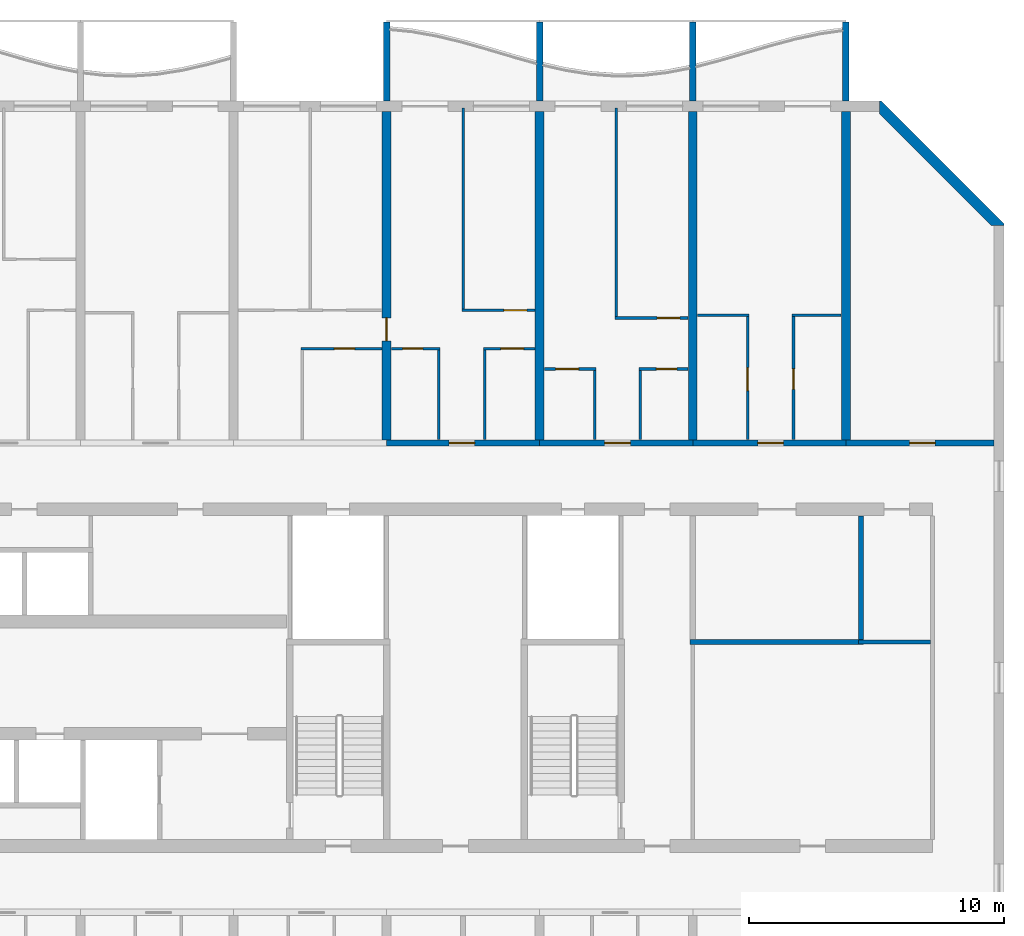
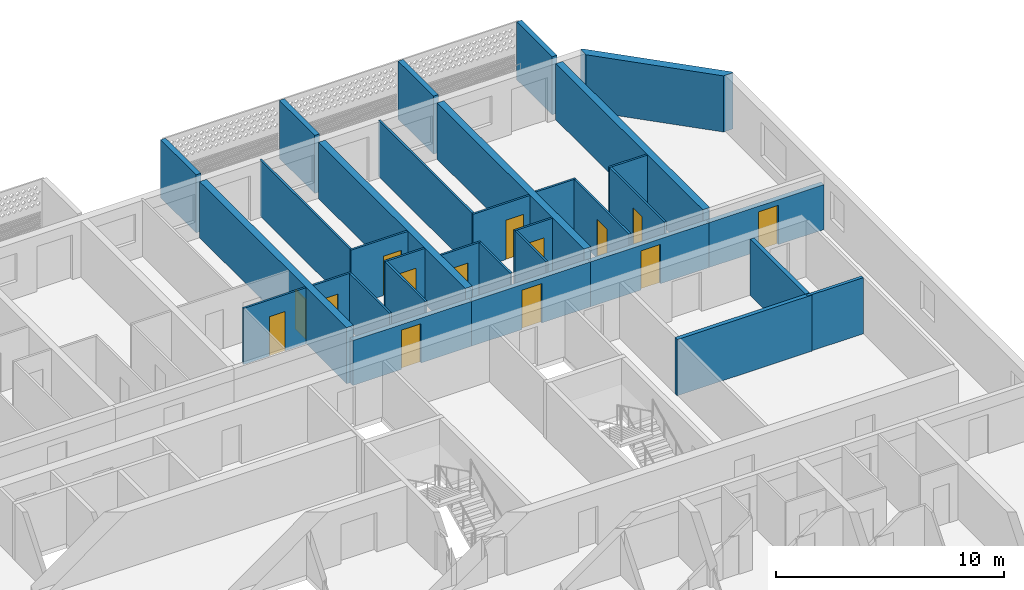
# One storey, part 14 of 24: 33 walls, 14 doors, 14 openings.
"""IFC4 building model written with IfcOpenShell, lengths in metres."""

from ifc_helpers import new_model, si_unit, direction, frame, frame_2d, origin, place, context, subcontext, project, spatial, polyline, rectangle, outline, extrude, source, transform, mapped, material, layer, layer_set, type_object, element, fill, save


model = new_model("IFC4")

# Units and contexts
model_context = context("Model", 3, precision=1e-05, world=origin(), true_north=direction((0.0, 1.0)))
body_context = subcontext(model_context, "Body", "Model", "MODEL_VIEW")
ifc_project = project(units=[si_unit("LENGTHUNIT", "METRE"), si_unit("AREAUNIT", "SQUARE_METRE"), si_unit("VOLUMEUNIT", "CUBIC_METRE"), si_unit("PLANEANGLEUNIT", "RADIAN"), si_unit("MASSUNIT", "GRAM", prefix="KILO")], contexts=[model_context])

# Site, building, storey
site_placement = place(None, origin())
site = spatial("IfcSite", under=ifc_project, at=site_placement, CompositionType="ELEMENT")
building_placement = place(site_placement, origin())
building = spatial("IfcBuilding", under=site, at=building_placement, Name="Poui Terraces", CompositionType="ELEMENT")
storey_placement = place(building_placement, frame((0.0, 0.0, 102.60009765625)))
storey = spatial("IfcBuildingStorey", under=building, at=storey_placement, Name="L28", CompositionType="ELEMENT", Elevation=102.60009765625)

# Wall, opening, door
ifc_material_1 = material(Name="Concrete 65 MPa", Category="concrete")
ifc_layer_1 = layer(ifc_material_1, 0.25)
ifc_layer_set_1 = layer_set([ifc_layer_1], Name="Concrete 65 MPa")
wall_type_1 = type_object("IfcWallType", Name="CORRIDOR WALL 250 65MPa", PredefinedType="SHEAR", material=ifc_layer_set_1)
wall_1_placement = place(storey_placement, frame((72.0, 30.39990234375, 0.0), z_axis=(0.0, 0.0, 1.0), x_axis=(1.0, 0.0, 0.0)))
wall_1 = element("IfcWall", 1, at=wall_1_placement, inside=storey, type_object=wall_type_1, Name="CORRIDOR WALL LINE E BAY 12", PredefinedType="SHEAR", context=body_context, shape_type="SweptSolid", body=[
    extrude(rectangle(XDim=6.0, YDim=0.25, at=frame_2d((3.0, 0.0))), origin(), (0.0, 0.0, 1.0), 2.39990234375),
])
opening_1_placement = place(wall_1_placement, frame((2.449951171875, 0.0, 0.0)))
opening_1 = element("IfcOpeningElement", 2, at=opening_1_placement, cuts=wall_1, Name="Opening FD30S", PredefinedType="OPENING", context=body_context, shape_type="SweptSolid", body=[
    extrude(rectangle(XDim=1.0, YDim=2.10009765625, at=frame_2d((0.5, 1.050048828125))), frame((0.0, 0.135009765625, 0.0), z_axis=(0.0, -1.0, 0.0), x_axis=(1.0, 0.0, 0.0)), (0.0, 0.0, 1.0), 0.27001953125),
])
ifc_material_2 = material(Name="Steel fire door", Category="steel")
door_type_1 = type_object("IfcDoorType", Name="FLAT ENTRANCE DOOR 1000 X 2100", OperationType="NOTDEFINED", PredefinedType="DOOR", material=ifc_material_2)
door_1_placement = place(opening_1_placement, origin())
door_1 = element("IfcDoor", 3, at=door_1_placement, inside=storey, type_object=door_type_1, Name="FLAT ENTRANCE DOOR 069", OperationType="SINGLE_SWING_LEFT", OverallHeight=2.10009765625, OverallWidth=1.0, PredefinedType="DOOR", context=body_context, shape_type="SweptSolid", body=[
    extrude(rectangle(XDim=1.0, YDim=2.10009765625, at=frame_2d((0.5, 1.050048828125))), frame((0.0, 0.02490234375, 0.0), z_axis=(0.0, -1.0, 0.0), x_axis=(1.0, 0.0, 0.0)), (0.0, 0.0, 1.0), 0.050048828125),
])
fill(opening_1, door_1)

wall_2_placement = place(storey_placement, frame((78.0, 30.39990234375, 0.0), z_axis=(0.0, 0.0, 1.0), x_axis=(1.0, 0.0, 0.0)))
wall_2 = element("IfcWall", 4, at=wall_2_placement, inside=storey, type_object=wall_type_1, Name="CORRIDOR WALL LINE E BAY 13", PredefinedType="SHEAR", context=body_context, shape_type="SweptSolid", body=[
    extrude(rectangle(XDim=6.0, YDim=0.25, at=frame_2d((3.0, 0.0))), origin(), (0.0, 0.0, 1.0), 2.39990234375),
])
opening_2_placement = place(wall_2_placement, frame((2.550048828125, 0.0, 0.0)))
opening_2 = element("IfcOpeningElement", 5, at=opening_2_placement, cuts=wall_2, Name="Opening FD30S", PredefinedType="OPENING", context=body_context, shape_type="SweptSolid", body=[
    extrude(rectangle(XDim=1.0, YDim=2.10009765625, at=frame_2d((0.5, 1.050048828125))), frame((0.0, 0.135009765625, 0.0), z_axis=(0.0, -1.0, 0.0), x_axis=(1.0, 0.0, 0.0)), (0.0, 0.0, 1.0), 0.27001953125),
])
door_2_placement = place(opening_2_placement, origin())
door_2 = element("IfcDoor", 6, at=door_2_placement, inside=storey, type_object=door_type_1, Name="FLAT ENTRANCE DOOR 073", OperationType="SINGLE_SWING_RIGHT", OverallHeight=2.10009765625, OverallWidth=1.0, PredefinedType="DOOR", context=body_context, shape_type="SweptSolid", body=[
    extrude(rectangle(XDim=1.0, YDim=2.10009765625, at=frame_2d((0.5, 1.050048828125))), frame((0.0, 0.02490234375, 0.0), z_axis=(0.0, -1.0, 0.0), x_axis=(1.0, 0.0, 0.0)), (0.0, 0.0, 1.0), 0.050048828125),
])
fill(opening_2, door_2)

wall_3_placement = place(storey_placement, frame((84.0, 30.39990234375, 0.0), z_axis=(0.0, 0.0, 1.0), x_axis=(1.0, 0.0, 0.0)))
wall_3 = element("IfcWall", 7, at=wall_3_placement, inside=storey, type_object=wall_type_1, Name="CORRIDOR WALL LINE E BAY 14", PredefinedType="SHEAR", context=body_context, shape_type="SweptSolid", body=[
    extrude(rectangle(XDim=6.0, YDim=0.25, at=frame_2d((3.0, 0.0))), origin(), (0.0, 0.0, 1.0), 2.39990234375),
])
opening_3_placement = place(wall_3_placement, frame((2.550048828125, 0.0, 0.0)))
opening_3 = element("IfcOpeningElement", 8, at=opening_3_placement, cuts=wall_3, Name="Opening FD30S", PredefinedType="OPENING", context=body_context, shape_type="SweptSolid", body=[
    extrude(rectangle(XDim=1.0, YDim=2.10009765625, at=frame_2d((0.5, 1.050048828125))), frame((0.0, 0.135009765625, 0.0), z_axis=(0.0, -1.0, 0.0), x_axis=(1.0, 0.0, 0.0)), (0.0, 0.0, 1.0), 0.27001953125),
])
door_3_placement = place(opening_3_placement, origin())
door_3 = element("IfcDoor", 9, at=door_3_placement, inside=storey, type_object=door_type_1, Name="FLAT ENTRANCE DOOR 077", OperationType="SINGLE_SWING_RIGHT", OverallHeight=2.10009765625, OverallWidth=1.0, PredefinedType="DOOR", context=body_context, shape_type="SweptSolid", body=[
    extrude(rectangle(XDim=1.0, YDim=2.10009765625, at=frame_2d((0.5, 1.050048828125))), frame((0.0, 0.02490234375, 0.0), z_axis=(0.0, -1.0, 0.0), x_axis=(1.0, 0.0, 0.0)), (0.0, 0.0, 1.0), 0.050048828125),
])
fill(opening_3, door_3)

wall_4_placement = place(storey_placement, frame((90.0, 30.39990234375, 0.0), z_axis=(0.0, 0.0, 1.0), x_axis=(1.0, 0.0, 0.0)))
wall_4 = element("IfcWall", 10, at=wall_4_placement, inside=storey, type_object=wall_type_1, Name="CORRIDOR WALL LINE E BAY 15", PredefinedType="SHEAR", context=body_context, shape_type="SweptSolid", body=[
    extrude(rectangle(XDim=5.800048828125, YDim=0.25, at=frame_2d((2.89990234375, 0.0))), origin(), (0.0, 0.0, 1.0), 2.39990234375),
])
opening_4_placement = place(wall_4_placement, frame((2.5, 0.0, 0.0)))
opening_4 = element("IfcOpeningElement", 11, at=opening_4_placement, cuts=wall_4, Name="Opening D100", PredefinedType="OPENING", context=body_context, shape_type="SweptSolid", body=[
    extrude(rectangle(XDim=1.0, YDim=2.10009765625, at=frame_2d((0.5, 1.050048828125))), frame((0.0, 0.135009765625, 0.0), z_axis=(0.0, -1.0, 0.0), x_axis=(1.0, 0.0, 0.0)), (0.0, 0.0, 1.0), 0.27001953125),
])
ifc_material_3 = material(Name="Solid core timber door", Category="wood")
door_type_2 = type_object("IfcDoorType", Name="ACCESSIBLE INTERNAL DOOR 1000 X 2100", OperationType="NOTDEFINED", PredefinedType="DOOR", material=ifc_material_3)
door_4_placement = place(opening_4_placement, origin())
door_4 = element("IfcDoor", 12, at=door_4_placement, inside=storey, type_object=door_type_2, Name="ACCESSIBLE INTERNAL DOOR 079", OperationType="SINGLE_SWING_LEFT", OverallHeight=2.10009765625, OverallWidth=1.0, PredefinedType="DOOR", context=body_context, shape_type="SweptSolid", body=[
    extrude(rectangle(XDim=1.0, YDim=2.10009765625, at=frame_2d((0.5, 1.050048828125))), frame((0.0, 0.02490234375, 0.0), z_axis=(0.0, -1.0, 0.0), x_axis=(1.0, 0.0, 0.0)), (0.0, 0.0, 1.0), 0.050048828125),
])
fill(opening_4, door_4)

ifc_layer_2 = layer(ifc_material_1, 0.35009765625)
ifc_layer_set_2 = layer_set([ifc_layer_2], Name="Concrete 65 MPa")
wall_type_2 = type_object("IfcWallType", Name="CROSS WALL 350 65MPa", PredefinedType="SHEAR", material=ifc_layer_set_2)
wall_5_placement = place(storey_placement, frame((72.0, 30.52490234375, 0.0), z_axis=(0.0, 0.0, 1.0), x_axis=(0.0, 1.0, 0.0)))
wall_5 = element("IfcWall", 13, at=wall_5_placement, inside=storey, type_object=wall_type_2, Name="CROSS WALL LINE 13 NORTH", PredefinedType="SHEAR", context=body_context, shape_type="SweptSolid", body=[
    extrude(rectangle(XDim=12.875, YDim=0.35009765625, at=frame_2d((6.4375, 0.0))), origin(), (0.0, 0.0, 1.0), 3.0),
])
opening_5_placement = place(wall_5_placement, frame((3.875, 0.0, 0.0)))
opening_5 = element("IfcOpeningElement", 14, at=opening_5_placement, cuts=wall_5, Name="Opening D90", PredefinedType="OPENING", context=body_context, shape_type="SweptSolid", body=[
    extrude(rectangle(XDim=0.89990234375, YDim=2.10009765625, at=frame_2d((0.449951171875, 1.050048828125))), frame((0.0, 0.18505859375, 0.0), z_axis=(0.0, -1.0, 0.0), x_axis=(1.0, 0.0, 0.0)), (0.0, 0.0, 1.0), 0.3701171875),
])
door_type_3 = type_object("IfcDoorType", Name="INTERNAL DOOR 900 X 2100", OperationType="NOTDEFINED", PredefinedType="DOOR", material=ifc_material_3)
door_5_placement = place(opening_5_placement, frame((0.89990234375, 0.0, 0.0), z_axis=(0.0, 0.0, 1.0), x_axis=(-1.0, 0.0, 0.0)))
door_5 = element("IfcDoor", 15, at=door_5_placement, inside=storey, type_object=door_type_3, Name="INTERNAL DOOR 067", OperationType="SINGLE_SWING_RIGHT", OverallHeight=2.10009765625, OverallWidth=0.89990234375, PredefinedType="DOOR", context=body_context, shape_type="SweptSolid", body=[
    extrude(rectangle(XDim=0.89990234375, YDim=2.10009765625, at=frame_2d((0.449951171875, 1.050048828125))), frame((0.0, 0.02490234375, 0.0), z_axis=(0.0, -1.0, 0.0), x_axis=(1.0, 0.0, 0.0)), (0.0, 0.0, 1.0), 0.050048828125),
])
fill(opening_5, door_5)

# Walls
for number, where, z_axis, x_axis, name in (
    (16, (78.0, 30.52490234375, 0.0), (0.0, 0.0, 1.0), (0.0, 1.0, 0.0), "CROSS WALL LINE 14 NORTH"),
    (17, (84.0, 30.52490234375, 0.0), (0.0, 0.0, 1.0), (0.0, 1.0, 0.0), "CROSS WALL LINE 15 NORTH"),
    (18, (90.0, 30.52490234375, 0.0), (0.0, 0.0, 1.0), (0.0, 1.0, 0.0), "CROSS WALL LINE 16 NORTH"),
):
    element("IfcWall", number, at=place(storey_placement, frame(where, z_axis=z_axis, x_axis=x_axis)), inside=storey, type_object=wall_type_2, Name=name, PredefinedType="SHEAR", context=body_context, shape_type="SweptSolid", body=[
        extrude(rectangle(XDim=12.875, YDim=0.35009765625, at=frame_2d((6.4375, 0.0))), origin(), (0.0, 0.0, 1.0), 3.0),
    ])

# Wall, opening, door
ifc_material_4 = material(Name="Plasterboard partition")
ifc_layer_3 = layer(ifc_material_4, 0.10009765625)
ifc_layer_set_3 = layer_set([ifc_layer_3], Name="Plasterboard partition")
wall_type_3 = type_object("IfcWallType", Name="FLAT PARTITION 100", PredefinedType="PARTITIONING", material=ifc_layer_set_3)
wall_6_placement = place(storey_placement, frame((78.18505859375, 33.300048828125, 0.0), z_axis=(0.0, 0.0, 1.0), x_axis=(1.0, 0.0, 0.0)))
wall_6 = element("IfcWall", 19, at=wall_6_placement, inside=storey, type_object=wall_type_3, Name="FLAT PARTITION 100", PredefinedType="PARTITIONING", context=body_context, shape_type="SweptSolid", body=[
    extrude(rectangle(XDim=2.014892578125, YDim=0.10009765625, at=frame_2d((1.00732421875, 0.0))), origin(), (0.0, 0.0, 1.0), 3.0),
])
opening_6_placement = place(wall_6_placement, frame((0.43994140625, 0.0, 0.0)))
opening_6 = element("IfcOpeningElement", 20, at=opening_6_placement, cuts=wall_6, Name="Opening D90", PredefinedType="OPENING", context=body_context, shape_type="SweptSolid", body=[
    extrude(rectangle(XDim=0.89990234375, YDim=2.10009765625, at=frame_2d((0.449951171875, 1.050048828125))), frame((0.0, 0.06005859375, 0.0), z_axis=(0.0, -1.0, 0.0), x_axis=(1.0, 0.0, 0.0)), (0.0, 0.0, 1.0), 0.1201171875),
])
door_6_placement = place(opening_6_placement, frame((0.89990234375, 0.0, 0.0), z_axis=(0.0, 0.0, 1.0), x_axis=(-1.0, 0.0, 0.0)))
door_6 = element("IfcDoor", 21, at=door_6_placement, inside=storey, type_object=door_type_3, Name="INTERNAL DOOR 072", OperationType="SINGLE_SWING_RIGHT", OverallHeight=2.10009765625, OverallWidth=0.89990234375, PredefinedType="DOOR", context=body_context, shape_type="SweptSolid", body=[
    extrude(rectangle(XDim=0.89990234375, YDim=2.10009765625, at=frame_2d((0.449951171875, 1.050048828125))), frame((0.0, 0.02490234375, 0.0), z_axis=(0.0, -1.0, 0.0), x_axis=(1.0, 0.0, 0.0)), (0.0, 0.0, 1.0), 0.050048828125),
])
fill(opening_6, door_6)

wall_7_placement = place(storey_placement, frame((81.89990234375, 33.300048828125, 0.0), z_axis=(0.0, 0.0, 1.0), x_axis=(1.0, 0.0, 0.0)))
wall_7 = element("IfcWall", 22, at=wall_7_placement, inside=storey, type_object=wall_type_3, Name="FLAT PARTITION 100", PredefinedType="PARTITIONING", context=body_context, shape_type="SweptSolid", body=[
    extrude(rectangle(XDim=1.9150390625, YDim=0.10009765625, at=frame_2d((0.95751953125, 0.0))), origin(), (0.0, 0.0, 1.0), 3.0),
])
opening_7_placement = place(wall_7_placement, frame((0.675048828125, 0.0, 0.0)))
opening_7 = element("IfcOpeningElement", 23, at=opening_7_placement, cuts=wall_7, Name="Opening D80", PredefinedType="OPENING", context=body_context, shape_type="SweptSolid", body=[
    extrude(rectangle(XDim=0.800048828125, YDim=2.10009765625, at=frame_2d((0.39990234375, 1.050048828125))), frame((0.0, 0.06005859375, 0.0), z_axis=(0.0, -1.0, 0.0), x_axis=(1.0, 0.0, 0.0)), (0.0, 0.0, 1.0), 0.1201171875),
])
door_type_4 = type_object("IfcDoorType", Name="BATHROOM, LAUNDRY AND STORE DOOR 800 X 2100", OperationType="NOTDEFINED", PredefinedType="DOOR", material=ifc_material_3)
door_7_placement = place(opening_7_placement, frame((0.800048828125, 0.0, 0.0), z_axis=(0.0, 0.0, 1.0), x_axis=(-1.0, 0.0, 0.0)))
door_7 = element("IfcDoor", 24, at=door_7_placement, inside=storey, type_object=door_type_4, Name="BATHROOM, LAUNDRY AND STORE DOOR 074", OperationType="SINGLE_SWING_LEFT", OverallHeight=2.10009765625, OverallWidth=0.800048828125, PredefinedType="DOOR", context=body_context, shape_type="SweptSolid", body=[
    extrude(rectangle(XDim=0.800048828125, YDim=2.10009765625, at=frame_2d((0.39990234375, 1.050048828125))), frame((0.0, 0.02490234375, 0.0), z_axis=(0.0, -1.0, 0.0), x_axis=(1.0, 0.0, 0.0)), (0.0, 0.0, 1.0), 0.050048828125),
])
fill(opening_7, door_7)

wall_8_placement = place(storey_placement, frame((68.64990234375, 34.10009765625, 0.0), z_axis=(0.0, 0.0, 1.0), x_axis=(1.0, 0.0, 0.0)))
wall_8 = element("IfcWall", 25, at=wall_8_placement, inside=storey, type_object=wall_type_3, Name="FLAT PARTITION 100", PredefinedType="PARTITIONING", context=body_context, shape_type="SweptSolid", body=[
    extrude(rectangle(XDim=3.1650390625, YDim=0.10009765625, at=frame_2d((1.58251953125, 0.0))), origin(), (0.0, 0.0, 1.0), 3.0),
])
opening_8_placement = place(wall_8_placement, frame((1.300048828125, 0.0, 0.0)))
opening_8 = element("IfcOpeningElement", 26, at=opening_8_placement, cuts=wall_8, Name="Opening D80", PredefinedType="OPENING", context=body_context, shape_type="SweptSolid", body=[
    extrude(rectangle(XDim=0.800048828125, YDim=2.10009765625, at=frame_2d((0.39990234375, 1.050048828125))), frame((0.0, 0.06005859375, 0.0), z_axis=(0.0, -1.0, 0.0), x_axis=(1.0, 0.0, 0.0)), (0.0, 0.0, 1.0), 0.1201171875),
])
door_8_placement = place(opening_8_placement, origin())
door_8 = element("IfcDoor", 27, at=door_8_placement, inside=storey, type_object=door_type_4, Name="BATHROOM, LAUNDRY AND STORE DOOR 066", OperationType="SINGLE_SWING_LEFT", OverallHeight=2.10009765625, OverallWidth=0.800048828125, PredefinedType="DOOR", context=body_context, shape_type="SweptSolid", body=[
    extrude(rectangle(XDim=0.800048828125, YDim=2.10009765625, at=frame_2d((0.39990234375, 1.050048828125))), frame((0.0, 0.02490234375, 0.0), z_axis=(0.0, -1.0, 0.0), x_axis=(1.0, 0.0, 0.0)), (0.0, 0.0, 1.0), 0.050048828125),
])
fill(opening_8, door_8)

wall_9_placement = place(storey_placement, frame((72.18505859375, 34.10009765625, 0.0), z_axis=(0.0, 0.0, 1.0), x_axis=(1.0, 0.0, 0.0)))
wall_9 = element("IfcWall", 28, at=wall_9_placement, inside=storey, type_object=wall_type_3, Name="FLAT PARTITION 100", PredefinedType="PARTITIONING", context=body_context, shape_type="SweptSolid", body=[
    extrude(rectangle(XDim=1.9150390625, YDim=0.10009765625, at=frame_2d((0.95751953125, 0.0))), origin(), (0.0, 0.0, 1.0), 3.0),
])
opening_9_placement = place(wall_9_placement, frame((0.43994140625, 0.0, 0.0)))
opening_9 = element("IfcOpeningElement", 29, at=opening_9_placement, cuts=wall_9, Name="Opening D80", PredefinedType="OPENING", context=body_context, shape_type="SweptSolid", body=[
    extrude(rectangle(XDim=0.800048828125, YDim=2.10009765625, at=frame_2d((0.39990234375, 1.050048828125))), frame((0.0, 0.06005859375, 0.0), z_axis=(0.0, -1.0, 0.0), x_axis=(1.0, 0.0, 0.0)), (0.0, 0.0, 1.0), 0.1201171875),
])
door_9_placement = place(opening_9_placement, frame((0.800048828125, 0.0, 0.0), z_axis=(0.0, 0.0, 1.0), x_axis=(-1.0, 0.0, 0.0)))
door_9 = element("IfcDoor", 30, at=door_9_placement, inside=storey, type_object=door_type_4, Name="BATHROOM, LAUNDRY AND STORE DOOR 068", OperationType="SINGLE_SWING_RIGHT", OverallHeight=2.10009765625, OverallWidth=0.800048828125, PredefinedType="DOOR", context=body_context, shape_type="SweptSolid", body=[
    extrude(rectangle(XDim=0.800048828125, YDim=2.10009765625, at=frame_2d((0.39990234375, 1.050048828125))), frame((0.0, 0.02490234375, 0.0), z_axis=(0.0, -1.0, 0.0), x_axis=(1.0, 0.0, 0.0)), (0.0, 0.0, 1.0), 0.050048828125),
])
fill(opening_9, door_9)

wall_10_placement = place(storey_placement, frame((75.800048828125, 34.10009765625, 0.0), z_axis=(0.0, 0.0, 1.0), x_axis=(1.0, 0.0, 0.0)))
wall_10 = element("IfcWall", 31, at=wall_10_placement, inside=storey, type_object=wall_type_3, Name="FLAT PARTITION 100", PredefinedType="PARTITIONING", context=body_context, shape_type="SweptSolid", body=[
    extrude(rectangle(XDim=2.014892578125, YDim=0.10009765625, at=frame_2d((1.00732421875, 0.0))), origin(), (0.0, 0.0, 1.0), 3.0),
])
opening_10_placement = place(wall_10_placement, frame((0.675048828125, 0.0, 0.0)))
opening_10 = element("IfcOpeningElement", 32, at=opening_10_placement, cuts=wall_10, Name="Opening D90", PredefinedType="OPENING", context=body_context, shape_type="SweptSolid", body=[
    extrude(rectangle(XDim=0.89990234375, YDim=2.10009765625, at=frame_2d((0.449951171875, 1.050048828125))), frame((0.0, 0.06005859375, 0.0), z_axis=(0.0, -1.0, 0.0), x_axis=(1.0, 0.0, 0.0)), (0.0, 0.0, 1.0), 0.1201171875),
])
door_10_placement = place(opening_10_placement, frame((0.89990234375, 0.0, 0.0), z_axis=(0.0, 0.0, 1.0), x_axis=(-1.0, 0.0, 0.0)))
door_10 = element("IfcDoor", 33, at=door_10_placement, inside=storey, type_object=door_type_3, Name="INTERNAL DOOR 070", OperationType="SINGLE_SWING_LEFT", OverallHeight=2.10009765625, OverallWidth=0.89990234375, PredefinedType="DOOR", context=body_context, shape_type="SweptSolid", body=[
    extrude(rectangle(XDim=0.89990234375, YDim=2.10009765625, at=frame_2d((0.449951171875, 1.050048828125))), frame((0.0, 0.02490234375, 0.0), z_axis=(0.0, -1.0, 0.0), x_axis=(1.0, 0.0, 0.0)), (0.0, 0.0, 1.0), 0.050048828125),
])
fill(opening_10, door_10)

wall_11_placement = place(storey_placement, frame((80.949951171875, 35.300048828125, 0.0), z_axis=(0.0, 0.0, 1.0), x_axis=(1.0, 0.0, 0.0)))
wall_11 = element("IfcWall", 34, at=wall_11_placement, inside=storey, type_object=wall_type_3, Name="FLAT PARTITION 100", PredefinedType="PARTITIONING", context=body_context, shape_type="SweptSolid", body=[
    extrude(rectangle(XDim=2.864990234375, YDim=0.10009765625, at=frame_2d((1.4326171875, 0.0))), origin(), (0.0, 0.0, 1.0), 3.0),
])
opening_11_placement = place(wall_11_placement, frame((1.64990234375, 0.0, 0.0)))
opening_11 = element("IfcOpeningElement", 35, at=opening_11_placement, cuts=wall_11, Name="Opening D90", PredefinedType="OPENING", context=body_context, shape_type="SweptSolid", body=[
    extrude(rectangle(XDim=0.89990234375, YDim=2.10009765625, at=frame_2d((0.449951171875, 1.050048828125))), frame((0.0, 0.06005859375, 0.0), z_axis=(0.0, -1.0, 0.0), x_axis=(1.0, 0.0, 0.0)), (0.0, 0.0, 1.0), 0.1201171875),
])
door_11_placement = place(opening_11_placement, frame((0.89990234375, 0.0, 0.0), z_axis=(0.0, 0.0, 1.0), x_axis=(-1.0, 0.0, 0.0)))
door_11 = element("IfcDoor", 36, at=door_11_placement, inside=storey, type_object=door_type_3, Name="INTERNAL DOOR 075", OperationType="SINGLE_SWING_RIGHT", OverallHeight=2.10009765625, OverallWidth=0.89990234375, PredefinedType="DOOR", context=body_context, shape_type="SweptSolid", body=[
    extrude(rectangle(XDim=0.89990234375, YDim=2.10009765625, at=frame_2d((0.449951171875, 1.050048828125))), frame((0.0, 0.02490234375, 0.0), z_axis=(0.0, -1.0, 0.0), x_axis=(1.0, 0.0, 0.0)), (0.0, 0.0, 1.0), 0.050048828125),
])
fill(opening_11, door_11)

# Walls
wall_12_placement = place(storey_placement, frame((84.18505859375, 35.39990234375, 0.0), z_axis=(0.0, 0.0, 1.0), x_axis=(1.0, 0.0, 0.0)))
element("IfcWall", 37, at=wall_12_placement, inside=storey, type_object=wall_type_3, Name="FLAT PARTITION 100", PredefinedType="PARTITIONING", context=body_context, shape_type="SweptSolid", body=[
    extrude(rectangle(XDim=2.014892578125, YDim=0.10009765625, at=frame_2d((1.00732421875, 0.0))), origin(), (0.0, 0.0, 1.0), 3.0),
])
wall_13_placement = place(storey_placement, frame((87.89990234375, 35.39990234375, 0.0), z_axis=(0.0, 0.0, 1.0), x_axis=(1.0, 0.0, 0.0)))
element("IfcWall", 38, at=wall_13_placement, inside=storey, type_object=wall_type_3, Name="FLAT PARTITION 100", PredefinedType="PARTITIONING", context=body_context, shape_type="SweptSolid", body=[
    extrude(rectangle(XDim=1.9150390625, YDim=0.10009765625, at=frame_2d((0.95751953125, 0.0))), origin(), (0.0, 0.0, 1.0), 3.0),
])

# Wall, opening, door
wall_14_placement = place(storey_placement, frame((74.949951171875, 35.60009765625, 0.0), z_axis=(0.0, 0.0, 1.0), x_axis=(1.0, 0.0, 0.0)))
wall_14 = element("IfcWall", 39, at=wall_14_placement, inside=storey, type_object=wall_type_3, Name="FLAT PARTITION 100", PredefinedType="PARTITIONING", context=body_context, shape_type="SweptSolid", body=[
    extrude(rectangle(XDim=2.864990234375, YDim=0.10009765625, at=frame_2d((1.4326171875, 0.0))), origin(), (0.0, 0.0, 1.0), 3.0),
])
opening_12_placement = place(wall_14_placement, frame((1.64990234375, 0.0, 0.0)))
opening_12 = element("IfcOpeningElement", 40, at=opening_12_placement, cuts=wall_14, Name="Opening D90", PredefinedType="OPENING", context=body_context, shape_type="SweptSolid", body=[
    extrude(rectangle(XDim=0.89990234375, YDim=2.10009765625, at=frame_2d((0.449951171875, 1.050048828125))), frame((0.0, 0.06005859375, 0.0), z_axis=(0.0, -1.0, 0.0), x_axis=(1.0, 0.0, 0.0)), (0.0, 0.0, 1.0), 0.1201171875),
])
door_12_placement = place(opening_12_placement, frame((0.89990234375, 0.0, 0.0), z_axis=(0.0, 0.0, 1.0), x_axis=(-1.0, 0.0, 0.0)))
door_12 = element("IfcDoor", 41, at=door_12_placement, inside=storey, type_object=door_type_3, Name="INTERNAL DOOR 071", OperationType="SINGLE_SWING_RIGHT", OverallHeight=2.10009765625, OverallWidth=0.89990234375, PredefinedType="DOOR", context=body_context, shape_type="SweptSolid", body=[
    extrude(rectangle(XDim=0.89990234375, YDim=2.10009765625, at=frame_2d((0.449951171875, 1.050048828125))), frame((0.0, 0.02490234375, 0.0), z_axis=(0.0, -1.0, 0.0), x_axis=(1.0, 0.0, 0.0)), (0.0, 0.0, 1.0), 0.050048828125),
])
fill(opening_12, door_12)

# Walls
wall_15_placement = place(storey_placement, frame((74.050048828125, 30.534912109375, 0.0), z_axis=(0.0, 0.0, 1.0), x_axis=(0.0, 1.0, 0.0)))
element("IfcWall", 42, at=wall_15_placement, inside=storey, type_object=wall_type_3, Name="FLAT PARTITION 100", PredefinedType="PARTITIONING", context=body_context, shape_type="SweptSolid", body=[
    extrude(rectangle(XDim=3.51513671875, YDim=0.10009765625, at=frame_2d((1.757568359375, 0.0))), origin(), (0.0, 0.0, 1.0), 3.0),
])
wall_16_placement = place(storey_placement, frame((75.0, 35.64990234375, 0.0), z_axis=(0.0, 0.0, 1.0), x_axis=(0.0, 1.0, 0.0)))
element("IfcWall", 43, at=wall_16_placement, inside=storey, type_object=wall_type_3, Name="FLAT PARTITION 100", PredefinedType="PARTITIONING", context=body_context, shape_type="SweptSolid", body=[
    extrude(rectangle(XDim=7.89013671875, YDim=0.10009765625, at=frame_2d((3.945068359375, 0.0))), origin(), (0.0, 0.0, 1.0), 3.0),
])
wall_17_placement = place(storey_placement, frame((75.85009765625, 30.534912109375, 0.0), z_axis=(0.0, 0.0, 1.0), x_axis=(0.0, 1.0, 0.0)))
element("IfcWall", 44, at=wall_17_placement, inside=storey, type_object=wall_type_3, Name="FLAT PARTITION 100", PredefinedType="PARTITIONING", context=body_context, shape_type="SweptSolid", body=[
    extrude(rectangle(XDim=3.51513671875, YDim=0.10009765625, at=frame_2d((1.757568359375, 0.0))), origin(), (0.0, 0.0, 1.0), 3.0),
])
wall_18_placement = place(storey_placement, frame((80.14990234375, 30.534912109375, 0.0), z_axis=(0.0, 0.0, 1.0), x_axis=(0.0, 1.0, 0.0)))
element("IfcWall", 45, at=wall_18_placement, inside=storey, type_object=wall_type_3, Name="FLAT PARTITION 100", PredefinedType="PARTITIONING", context=body_context, shape_type="SweptSolid", body=[
    extrude(rectangle(XDim=2.715087890625, YDim=0.10009765625, at=frame_2d((1.357421875, 0.0))), origin(), (0.0, 0.0, 1.0), 3.0),
])
wall_19_placement = place(storey_placement, frame((81.0, 35.35009765625, 0.0), z_axis=(0.0, 0.0, 1.0), x_axis=(0.0, 1.0, 0.0)))
element("IfcWall", 46, at=wall_19_placement, inside=storey, type_object=wall_type_3, Name="FLAT PARTITION 100", PredefinedType="PARTITIONING", context=body_context, shape_type="SweptSolid", body=[
    extrude(rectangle(XDim=8.18994140625, YDim=0.10009765625, at=frame_2d((4.094970703125, 0.0))), origin(), (0.0, 0.0, 1.0), 3.0),
])
wall_20_placement = place(storey_placement, frame((81.949951171875, 30.534912109375, 0.0), z_axis=(0.0, 0.0, 1.0), x_axis=(0.0, 1.0, 0.0)))
element("IfcWall", 47, at=wall_20_placement, inside=storey, type_object=wall_type_3, Name="FLAT PARTITION 100", PredefinedType="PARTITIONING", context=body_context, shape_type="SweptSolid", body=[
    extrude(rectangle(XDim=2.715087890625, YDim=0.10009765625, at=frame_2d((1.357421875, 0.0))), origin(), (0.0, 0.0, 1.0), 3.0),
])

# Wall, opening, door
wall_21_placement = place(storey_placement, frame((86.14990234375, 30.534912109375, 0.0), z_axis=(0.0, 0.0, 1.0), x_axis=(0.0, 1.0, 0.0)))
wall_21 = element("IfcWall", 48, at=wall_21_placement, inside=storey, type_object=wall_type_3, Name="FLAT PARTITION 100", PredefinedType="PARTITIONING", context=body_context, shape_type="SweptSolid", body=[
    extrude(rectangle(XDim=4.815185546875, YDim=0.10009765625, at=frame_2d((2.40771484375, 0.0))), origin(), (0.0, 0.0, 1.0), 3.0),
])
opening_13_placement = place(wall_21_placement, frame((1.9150390625, 0.0, 0.0)))
opening_13 = element("IfcOpeningElement", 49, at=opening_13_placement, cuts=wall_21, Name="Opening D90", PredefinedType="OPENING", context=body_context, shape_type="SweptSolid", body=[
    extrude(rectangle(XDim=0.89990234375, YDim=2.10009765625, at=frame_2d((0.449951171875, 1.050048828125))), frame((0.0, 0.06005859375, 0.0), z_axis=(0.0, -1.0, 0.0), x_axis=(1.0, 0.0, 0.0)), (0.0, 0.0, 1.0), 0.1201171875),
])
door_13_placement = place(opening_13_placement, origin())
door_13 = element("IfcDoor", 50, at=door_13_placement, inside=storey, type_object=door_type_3, Name="INTERNAL DOOR 076", OperationType="SINGLE_SWING_LEFT", OverallHeight=2.10009765625, OverallWidth=0.89990234375, PredefinedType="DOOR", context=body_context, shape_type="SweptSolid", body=[
    extrude(rectangle(XDim=0.89990234375, YDim=2.10009765625, at=frame_2d((0.449951171875, 1.050048828125))), frame((0.0, 0.02490234375, 0.0), z_axis=(0.0, -1.0, 0.0), x_axis=(1.0, 0.0, 0.0)), (0.0, 0.0, 1.0), 0.050048828125),
])
fill(opening_13, door_13)

wall_22_placement = place(storey_placement, frame((87.949951171875, 30.534912109375, 0.0), z_axis=(0.0, 0.0, 1.0), x_axis=(0.0, 1.0, 0.0)))
wall_22 = element("IfcWall", 51, at=wall_22_placement, inside=storey, type_object=wall_type_3, Name="FLAT PARTITION 100", PredefinedType="PARTITIONING", context=body_context, shape_type="SweptSolid", body=[
    extrude(rectangle(XDim=4.815185546875, YDim=0.10009765625, at=frame_2d((2.40771484375, 0.0))), origin(), (0.0, 0.0, 1.0), 3.0),
])
opening_14_placement = place(wall_22_placement, frame((1.965087890625, 0.0, 0.0)))
opening_14 = element("IfcOpeningElement", 52, at=opening_14_placement, cuts=wall_22, Name="Opening D80", PredefinedType="OPENING", context=body_context, shape_type="SweptSolid", body=[
    extrude(rectangle(XDim=0.800048828125, YDim=2.10009765625, at=frame_2d((0.39990234375, 1.050048828125))), frame((0.0, 0.06005859375, 0.0), z_axis=(0.0, -1.0, 0.0), x_axis=(1.0, 0.0, 0.0)), (0.0, 0.0, 1.0), 0.1201171875),
])
door_14_placement = place(opening_14_placement, frame((0.800048828125, 0.0, 0.0), z_axis=(0.0, 0.0, 1.0), x_axis=(-1.0, 0.0, 0.0)))
door_14 = element("IfcDoor", 53, at=door_14_placement, inside=storey, type_object=door_type_4, Name="BATHROOM, LAUNDRY AND STORE DOOR 078", OperationType="SINGLE_SWING_LEFT", OverallHeight=2.10009765625, OverallWidth=0.800048828125, PredefinedType="DOOR", context=body_context, shape_type="SweptSolid", body=[
    extrude(rectangle(XDim=0.800048828125, YDim=2.10009765625, at=frame_2d((0.39990234375, 1.050048828125))), frame((0.0, 0.02490234375, 0.0), z_axis=(0.0, -1.0, 0.0), x_axis=(1.0, 0.0, 0.0)), (0.0, 0.0, 1.0), 0.050048828125),
])
fill(opening_14, door_14)

# Walls
ifc_layer_4 = layer(ifc_material_4, 0.14990234375)
ifc_layer_set_4 = layer_set([ifc_layer_4], Name="Plasterboard partition")
wall_type_4 = type_object("IfcWallType", Name="PARTITION WALL 150", PredefinedType="PARTITIONING", material=ifc_layer_set_4)
wall_23_placement = place(storey_placement, frame((90.5, 22.60009765625, 0.0), z_axis=(0.0, 0.0, 1.0), x_axis=(1.0, 0.0, 0.0)))
element("IfcWall", 54, at=wall_23_placement, inside=storey, type_object=wall_type_4, Name="PARTITION WALL 150", PredefinedType="PARTITIONING", context=body_context, shape_type="SweptSolid", body=[
    extrude(rectangle(XDim=2.824951171875, YDim=0.14990234375, at=frame_2d((1.41259765625, 0.0))), origin(), (0.0, 0.0, 1.0), 3.0),
])
ifc_material_5 = material(Name="Fire-rated masonry wall", Category="masonry")
ifc_layer_5 = layer(ifc_material_5, 0.199951171875)
ifc_layer_set_5 = layer_set([ifc_layer_5], Name="Fire-rated masonry wall")
wall_type_5 = type_object("IfcWallType", Name="PLANT ROOM WALL 200", PredefinedType="PARTITIONING", material=ifc_layer_set_5)
wall_24_placement = place(storey_placement, frame((83.89990234375, 22.60009765625, 0.0), z_axis=(0.0, 0.0, 1.0), x_axis=(1.0, 0.0, 0.0)))
element("IfcWall", 55, at=wall_24_placement, inside=storey, type_object=wall_type_5, Name="PLANT ROOM WALL 200", PredefinedType="PARTITIONING", context=body_context, shape_type="SweptSolid", body=[
    extrude(rectangle(XDim=6.800048828125, YDim=0.199951171875, at=frame_2d((3.39990234375, 0.0))), origin(), (0.0, 0.0, 1.0), 3.0),
])
wall_25_placement = place(storey_placement, frame((90.60009765625, 22.699951171875, 0.0), z_axis=(0.0, 0.0, 1.0), x_axis=(0.0, 1.0, 0.0)))
element("IfcWall", 56, at=wall_25_placement, inside=storey, type_object=wall_type_5, Name="PLANT ROOM WALL 200", PredefinedType="PARTITIONING", context=body_context, shape_type="SweptSolid", body=[
    extrude(rectangle(XDim=4.840087890625, YDim=0.199951171875, at=frame_2d((2.419921875, 0.0))), origin(), (0.0, 0.0, 1.0), 3.0),
])
ifc_material_6 = material(Name="Precast concrete 40 MPa", Category="concrete")
ifc_layer_6 = layer(ifc_material_6, 0.39990234375)
ifc_layer_set_6 = layer_set([ifc_layer_6], Name="Precast concrete 40 MPa")
wall_type_6 = type_object("IfcWallType", Name="TERRACOTTA CLAD CHAMFER WALL 400", PredefinedType="STANDARD", material=ifc_layer_set_6)
wall_26_placement = place(storey_placement, origin())
element("IfcWall", 57, at=wall_26_placement, inside=storey, type_object=wall_type_6, Name="CHAMFER WALL CH03", PredefinedType="STANDARD", context=body_context, shape_type="SweptSolid", body=[
    extrude(outline(polyline([(96.199951171875, 38.917236328125), (96.199951171875, 39.0), (91.39990234375, 43.800048828125), (91.317138671875, 43.800048828125), (91.317138671875, 43.317138671875), (95.71728515625, 38.917236328125), (96.199951171875, 38.917236328125)])), origin(), (0.0, 0.0, 1.0), 3.0),
])
ifc_layer_7 = layer(ifc_material_6, 0.25)
ifc_layer_set_7 = layer_set([ifc_layer_7], Name="Precast concrete 40 MPa")
wall_type_7 = type_object("IfcWallType", Name="BALCONY FIN 250", PredefinedType="STANDARD", material=ifc_layer_set_7)
shared_shape = source(origin(), body_context, "Body", "SweptSolid", [
    extrude(outline(polyline([(0.0, 0.0), (0.25, 0.0), (0.25, 3.099853515625), (0.0, 3.099853515625), (0.0, 0.0)])), origin(), (0.0, 0.0, 1.0), 3.099853515625),
])
for number, where, name in (
    (58, (71.875, 43.800048828125, 0.0), "BALCONY FIN"),
    (59, (77.875, 43.800048828125, 0.0), "BALCONY FIN"),
    (60, (83.875, 43.800048828125, 0.0), "BALCONY FIN"),
    (61, (89.875, 43.800048828125, 0.0), "BALCONY FIN"),
):
    element("IfcWall", number, at=place(storey_placement, frame(where)), inside=storey, type_object=wall_type_7, Name=name, PredefinedType="STANDARD", context=body_context, shape_type="MappedRepresentation", body=[
        mapped(shared_shape, transform((0.0, 0.0, 0.0))),
    ])

save(model, "model.ifc")
